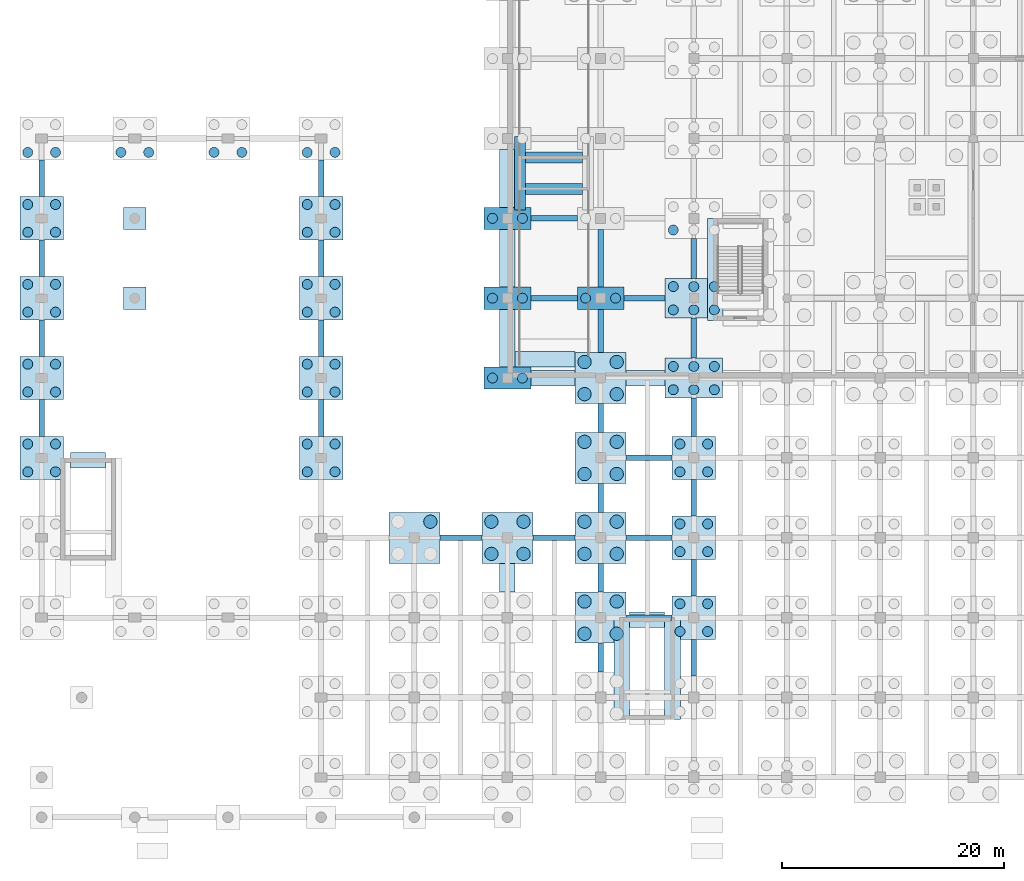
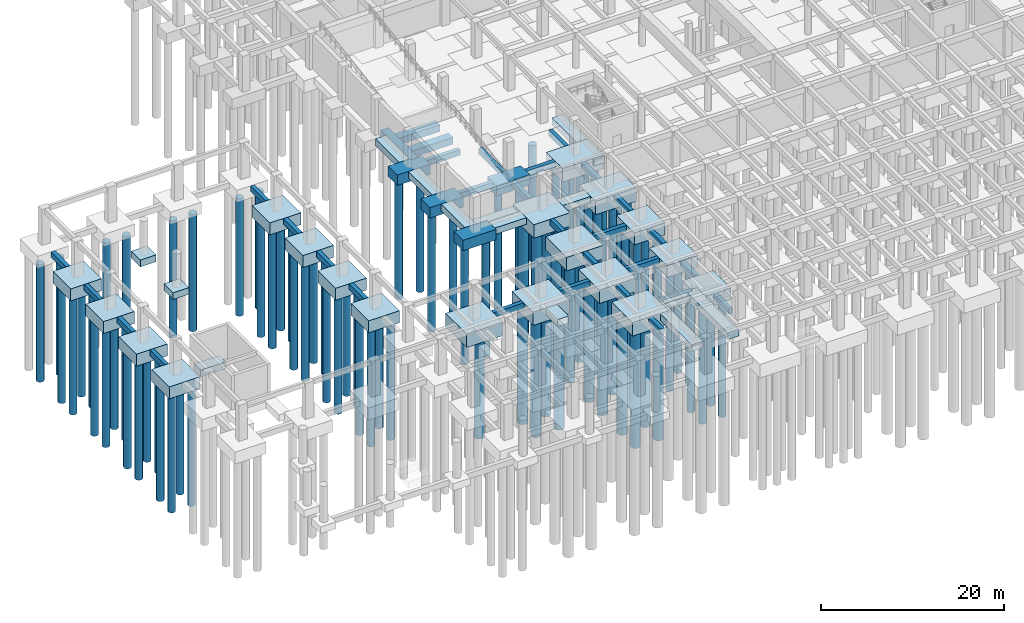
# One storey, part 2 of 26: 94 piles, 68 footings.
"""IFC4 building model written with IfcOpenShell, lengths in metres."""

from ifc_helpers import new_model, si_unit, direction, frame, origin, origin_2d, place, context, subcontext, project, spatial, rectangle, circle, extrude, material, material_profile, profile_set, type_object, element, save


model = new_model("IFC4")

# Units and contexts
model_context = context("Model", 3, precision=1e-05, world=origin(), true_north=direction((0.0, 1.0)))
body_context = subcontext(model_context, "Body", "Model", "MODEL_VIEW")
ifc_project = project(units=[si_unit("LENGTHUNIT", "METRE"), si_unit("AREAUNIT", "SQUARE_METRE"), si_unit("VOLUMEUNIT", "CUBIC_METRE"), si_unit("PLANEANGLEUNIT", "RADIAN"), si_unit("MASSUNIT", "GRAM", prefix="KILO")], contexts=[model_context])

# Site, building, storey
site_placement = place(None, origin())
site = spatial("IfcSite", under=ifc_project, at=site_placement, CompositionType="ELEMENT")
building_placement = place(site_placement, origin())
building = spatial("IfcBuilding", under=site, at=building_placement, Name="Kenerak Square Central Library", CompositionType="ELEMENT")
storey_placement = place(building_placement, frame((0.0, 0.0, -4.800048828125)))
storey = spatial("IfcBuildingStorey", under=building, at=storey_placement, Name="B1", CompositionType="ELEMENT", Elevation=-4.800048828125)

# Piles
ifc_material = material(Name="Concrete C40/50", Category="concrete")
ifc_material_profile_1 = material_profile(ifc_material, circle(Radius=0.60009765625, at=origin_2d()), Name="BP D1200")
ifc_profile_set_1 = profile_set([ifc_material_profile_1], Name="Concrete C40/50")
pile_type_1 = type_object("IfcPileType", Name="Bored Pile D1200 C40/50", PredefinedType="BORED", material=ifc_profile_set_1)
for number, where, z_axis, x_axis, name in (
    (1, (43.050048828125, 39.85009765625, -1.699951171875), (0.0, 0.0, -1.0), (1.0, 0.0, 0.0), "Bored Pile BP-1200 0096"),
    (2, (48.550048828125, 36.949951171875, -1.699951171875), (0.0, 0.0, -1.0), (1.0, 0.0, 0.0), "Bored Pile BP-1200 0117"),
    (3, (51.449951171875, 36.949951171875, -1.699951171875), (0.0, 0.0, -1.0), (1.0, 0.0, 0.0), "Bored Pile BP-1200 0118"),
    (4, (48.550048828125, 39.85009765625, -1.699951171875), (0.0, 0.0, -1.0), (1.0, 0.0, 0.0), "Bored Pile BP-1200 0119"),
    (5, (51.449951171875, 39.85009765625, -1.699951171875), (0.0, 0.0, -1.0), (1.0, 0.0, 0.0), "Bored Pile BP-1200 0120"),
    (6, (56.949951171875, 29.75, -1.699951171875), (0.0, 0.0, -1.0), (1.0, 0.0, 0.0), "Bored Pile BP-1200 0155"),
    (7, (59.85009765625, 29.75, -1.699951171875), (0.0, 0.0, -1.0), (1.0, 0.0, 0.0), "Bored Pile BP-1200 0156"),
    (8, (56.949951171875, 32.64990234375, -1.699951171875), (0.0, 0.0, -1.0), (1.0, 0.0, 0.0), "Bored Pile BP-1200 0157"),
    (9, (59.85009765625, 32.64990234375, -1.699951171875), (0.0, 0.0, -1.0), (1.0, 0.0, 0.0), "Bored Pile BP-1200 0158"),
    (10, (56.949951171875, 36.949951171875, -1.699951171875), (0.0, 0.0, -1.0), (1.0, 0.0, 0.0), "Bored Pile BP-1200 0159"),
    (11, (59.85009765625, 36.949951171875, -1.699951171875), (0.0, 0.0, -1.0), (1.0, 0.0, 0.0), "Bored Pile BP-1200 0160"),
    (12, (56.949951171875, 39.85009765625, -1.699951171875), (0.0, 0.0, -1.0), (1.0, 0.0, 0.0), "Bored Pile BP-1200 0161"),
    (13, (59.85009765625, 39.85009765625, -1.699951171875), (0.0, 0.0, -1.0), (1.0, 0.0, 0.0), "Bored Pile BP-1200 0162"),
    (14, (56.949951171875, 44.14990234375, -1.699951171875), (0.0, 0.0, -1.0), (1.0, 0.0, 0.0), "Bored Pile BP-1200 0163"),
    (15, (59.85009765625, 44.14990234375, -1.699951171875), (0.0, 0.0, -1.0), (1.0, 0.0, 0.0), "Bored Pile BP-1200 0164"),
    (16, (56.949951171875, 47.050048828125, -1.699951171875), (0.0, 0.0, -1.0), (1.0, 0.0, 0.0), "Bored Pile BP-1200 0165"),
    (17, (59.85009765625, 47.050048828125, -1.699951171875), (0.0, 0.0, -1.0), (1.0, 0.0, 0.0), "Bored Pile BP-1200 0166"),
    (18, (56.949951171875, 51.35009765625, -1.699951171875), (0.0, 0.0, -1.0), (1.0, 0.0, 0.0), "Bored Pile BP-1200 0167"),
    (19, (59.85009765625, 51.35009765625, -1.699951171875), (0.0, 0.0, -1.0), (1.0, 0.0, 0.0), "Bored Pile BP-1200 0168"),
    (20, (56.949951171875, 54.25, -1.699951171875), (0.0, 0.0, -1.0), (1.0, 0.0, 0.0), "Bored Pile BP-1200 0169"),
    (21, (59.85009765625, 54.25, -1.699951171875), (0.0, 0.0, -1.0), (1.0, 0.0, 0.0), "Bored Pile BP-1200 0170"),
):
    element("IfcPile", number, at=place(storey_placement, frame(where, z_axis=z_axis, x_axis=x_axis)), inside=storey, type_object=pile_type_1, Name=name, PredefinedType="BORED", context=body_context, shape_type="SweptSolid", body=[
        extrude(circle(Radius=0.60009765625, at=origin_2d()), origin(), (0.0, 0.0, 1.0), 15.5),
    ])
ifc_material_profile_2 = material_profile(ifc_material, circle(Radius=0.449951171875, at=origin_2d()), Name="BP D900")
ifc_profile_set_2 = profile_set([ifc_material_profile_2], Name="Concrete C40/50")
pile_type_2 = type_object("IfcPileType", Name="Bored Pile D900 C40/50", PredefinedType="BORED", material=ifc_profile_set_2)
for number, where, z_axis, x_axis, name in (
    (22, (6.75, 44.35009765625, -1.5), (0.0, 0.0, -1.0), (1.0, 0.0, 0.0), "Bored Pile BP-900 0009"),
    (23, (9.25, 44.35009765625, -1.5), (0.0, 0.0, -1.0), (1.0, 0.0, 0.0), "Bored Pile BP-900 0010"),
    (24, (6.75, 46.85009765625, -1.5), (0.0, 0.0, -1.0), (1.0, 0.0, 0.0), "Bored Pile BP-900 0011"),
    (25, (9.25, 46.85009765625, -1.5), (0.0, 0.0, -1.0), (1.0, 0.0, 0.0), "Bored Pile BP-900 0012"),
    (26, (6.75, 51.550048828125, -1.5), (0.0, 0.0, -1.0), (1.0, 0.0, 0.0), "Bored Pile BP-900 0013"),
    (27, (9.25, 51.550048828125, -1.5), (0.0, 0.0, -1.0), (1.0, 0.0, 0.0), "Bored Pile BP-900 0014"),
    (28, (6.75, 54.050048828125, -1.5), (0.0, 0.0, -1.0), (1.0, 0.0, 0.0), "Bored Pile BP-900 0015"),
    (29, (9.25, 54.050048828125, -1.5), (0.0, 0.0, -1.0), (1.0, 0.0, 0.0), "Bored Pile BP-900 0016"),
    (30, (6.75, 58.75, -1.5), (0.0, 0.0, -1.0), (1.0, 0.0, 0.0), "Bored Pile BP-900 0017"),
    (31, (9.25, 58.75, -1.5), (0.0, 0.0, -1.0), (1.0, 0.0, 0.0), "Bored Pile BP-900 0018"),
    (32, (6.75, 61.25, -1.5), (0.0, 0.0, -1.0), (1.0, 0.0, 0.0), "Bored Pile BP-900 0019"),
    (33, (9.25, 61.25, -1.5), (0.0, 0.0, -1.0), (1.0, 0.0, 0.0), "Bored Pile BP-900 0020"),
    (34, (6.75, 65.949951171875, -1.5), (0.0, 0.0, -1.0), (1.0, 0.0, 0.0), "Bored Pile BP-900 0021"),
    (35, (9.25, 65.949951171875, -1.5), (0.0, 0.0, -1.0), (1.0, 0.0, 0.0), "Bored Pile BP-900 0022"),
    (36, (6.75, 68.449951171875, -1.5), (0.0, 0.0, -1.0), (1.0, 0.0, 0.0), "Bored Pile BP-900 0023"),
    (37, (9.25, 68.449951171875, -1.5), (0.0, 0.0, -1.0), (1.0, 0.0, 0.0), "Bored Pile BP-900 0024"),
    (38, (6.75, 73.14990234375, -1.5), (0.0, 0.0, -1.0), (1.0, 0.0, 0.0), "Bored Pile BP-900 0025"),
    (39, (9.25, 73.14990234375, -1.5), (0.0, 0.0, -1.0), (1.0, 0.0, 0.0), "Bored Pile BP-900 0026"),
    (40, (15.14990234375, 73.14990234375, -1.5), (0.0, 0.0, -1.0), (1.0, 0.0, 0.0), "Bored Pile BP-900 0033"),
    (41, (17.64990234375, 73.14990234375, -1.5), (0.0, 0.0, -1.0), (1.0, 0.0, 0.0), "Bored Pile BP-900 0034"),
    (42, (23.550048828125, 73.14990234375, -1.5), (0.0, 0.0, -1.0), (1.0, 0.0, 0.0), "Bored Pile BP-900 0041"),
    (43, (26.050048828125, 73.14990234375, -1.5), (0.0, 0.0, -1.0), (1.0, 0.0, 0.0), "Bored Pile BP-900 0042"),
    (44, (31.949951171875, 44.35009765625, -1.5), (0.0, 0.0, -1.0), (1.0, 0.0, 0.0), "Bored Pile BP-900 0061"),
    (45, (34.449951171875, 44.35009765625, -1.5), (0.0, 0.0, -1.0), (1.0, 0.0, 0.0), "Bored Pile BP-900 0062"),
    (46, (31.949951171875, 46.85009765625, -1.5), (0.0, 0.0, -1.0), (1.0, 0.0, 0.0), "Bored Pile BP-900 0063"),
    (47, (34.449951171875, 46.85009765625, -1.5), (0.0, 0.0, -1.0), (1.0, 0.0, 0.0), "Bored Pile BP-900 0064"),
    (48, (31.949951171875, 51.550048828125, -1.5), (0.0, 0.0, -1.0), (1.0, 0.0, 0.0), "Bored Pile BP-900 0065"),
    (49, (34.449951171875, 51.550048828125, -1.5), (0.0, 0.0, -1.0), (1.0, 0.0, 0.0), "Bored Pile BP-900 0066"),
    (50, (31.949951171875, 54.050048828125, -1.5), (0.0, 0.0, -1.0), (1.0, 0.0, 0.0), "Bored Pile BP-900 0067"),
    (51, (34.449951171875, 54.050048828125, -1.5), (0.0, 0.0, -1.0), (1.0, 0.0, 0.0), "Bored Pile BP-900 0068"),
    (52, (31.949951171875, 58.75, -1.5), (0.0, 0.0, -1.0), (1.0, 0.0, 0.0), "Bored Pile BP-900 0069"),
    (53, (34.449951171875, 58.75, -1.5), (0.0, 0.0, -1.0), (1.0, 0.0, 0.0), "Bored Pile BP-900 0070"),
    (54, (31.949951171875, 61.25, -1.5), (0.0, 0.0, -1.0), (1.0, 0.0, 0.0), "Bored Pile BP-900 0071"),
    (55, (34.449951171875, 61.25, -1.5), (0.0, 0.0, -1.0), (1.0, 0.0, 0.0), "Bored Pile BP-900 0072"),
    (56, (31.949951171875, 65.949951171875, -1.5), (0.0, 0.0, -1.0), (1.0, 0.0, 0.0), "Bored Pile BP-900 0073"),
    (57, (34.449951171875, 65.949951171875, -1.5), (0.0, 0.0, -1.0), (1.0, 0.0, 0.0), "Bored Pile BP-900 0074"),
    (58, (31.949951171875, 68.449951171875, -1.5), (0.0, 0.0, -1.0), (1.0, 0.0, 0.0), "Bored Pile BP-900 0075"),
    (59, (34.449951171875, 68.449951171875, -1.5), (0.0, 0.0, -1.0), (1.0, 0.0, 0.0), "Bored Pile BP-900 0076"),
    (60, (31.949951171875, 73.14990234375, -1.5), (0.0, 0.0, -1.0), (1.0, 0.0, 0.0), "Bored Pile BP-900 0077"),
    (61, (34.449951171875, 73.14990234375, -1.5), (0.0, 0.0, -1.0), (1.0, 0.0, 0.0), "Bored Pile BP-900 0078"),
):
    element("IfcPile", number, at=place(storey_placement, frame(where, z_axis=z_axis, x_axis=x_axis)), inside=storey, type_object=pile_type_2, Name=name, PredefinedType="BORED", context=body_context, shape_type="SweptSolid", body=[
        extrude(circle(Radius=0.449951171875, at=origin_2d()), origin(), (0.0, 0.0, 1.0), 15.699951171875),
    ])
for number, where, z_axis, x_axis, name in (
    (62, (48.64990234375, 52.800048828125, -1.300048828125), (0.0, 0.0, -1.0), (1.0, 0.0, 0.0), "Bored Pile BP-900 0121"),
    (63, (51.35009765625, 52.800048828125, -1.300048828125), (0.0, 0.0, -1.0), (1.0, 0.0, 0.0), "Bored Pile BP-900 0122"),
    (64, (48.64990234375, 60.0, -1.300048828125), (0.0, 0.0, -1.0), (1.0, 0.0, 0.0), "Bored Pile BP-900 0123"),
    (65, (51.35009765625, 60.0, -1.300048828125), (0.0, 0.0, -1.0), (1.0, 0.0, 0.0), "Bored Pile BP-900 0124"),
    (66, (48.64990234375, 67.199951171875, -1.300048828125), (0.0, 0.0, -1.0), (1.0, 0.0, 0.0), "Bored Pile BP-900 0125"),
    (67, (51.35009765625, 67.199951171875, -1.300048828125), (0.0, 0.0, -1.0), (1.0, 0.0, 0.0), "Bored Pile BP-900 0126"),
    (68, (57.050048828125, 60.0, -1.300048828125), (0.0, 0.0, -1.0), (1.0, 0.0, 0.0), "Bored Pile BP-900 0171"),
    (69, (59.75, 60.0, -1.300048828125), (0.0, 0.0, -1.0), (1.0, 0.0, 0.0), "Bored Pile BP-900 0172"),
):
    element("IfcPile", number, at=place(storey_placement, frame(where, z_axis=z_axis, x_axis=x_axis)), inside=storey, type_object=pile_type_2, Name=name, PredefinedType="BORED", context=body_context, shape_type="SweptSolid", body=[
        extrude(circle(Radius=0.449951171875, at=origin_2d()), origin(), (0.0, 0.0, 1.0), 15.89990234375),
    ])
for number, where, z_axis, x_axis, name in (
    (70, (65.550048828125, 29.949951171875, -1.5), (0.0, 0.0, -1.0), (1.0, 0.0, 0.0), "Bored Pile BP-900 0213"),
    (71, (68.050048828125, 29.949951171875, -1.5), (0.0, 0.0, -1.0), (1.0, 0.0, 0.0), "Bored Pile BP-900 0214"),
    (72, (65.550048828125, 32.449951171875, -1.5), (0.0, 0.0, -1.0), (1.0, 0.0, 0.0), "Bored Pile BP-900 0215"),
    (73, (68.050048828125, 32.449951171875, -1.5), (0.0, 0.0, -1.0), (1.0, 0.0, 0.0), "Bored Pile BP-900 0216"),
    (74, (65.550048828125, 37.14990234375, -1.5), (0.0, 0.0, -1.0), (1.0, 0.0, 0.0), "Bored Pile BP-900 0217"),
    (75, (68.050048828125, 37.14990234375, -1.5), (0.0, 0.0, -1.0), (1.0, 0.0, 0.0), "Bored Pile BP-900 0218"),
    (76, (65.550048828125, 39.64990234375, -1.5), (0.0, 0.0, -1.0), (1.0, 0.0, 0.0), "Bored Pile BP-900 0219"),
    (77, (68.050048828125, 39.64990234375, -1.5), (0.0, 0.0, -1.0), (1.0, 0.0, 0.0), "Bored Pile BP-900 0220"),
    (78, (65.550048828125, 44.35009765625, -1.5), (0.0, 0.0, -1.0), (1.0, 0.0, 0.0), "Bored Pile BP-900 0221"),
    (79, (68.050048828125, 44.35009765625, -1.5), (0.0, 0.0, -1.0), (1.0, 0.0, 0.0), "Bored Pile BP-900 0222"),
    (80, (65.550048828125, 46.85009765625, -1.5), (0.0, 0.0, -1.0), (1.0, 0.0, 0.0), "Bored Pile BP-900 0223"),
    (81, (68.050048828125, 46.85009765625, -1.5), (0.0, 0.0, -1.0), (1.0, 0.0, 0.0), "Bored Pile BP-900 0224"),
):
    element("IfcPile", number, at=place(storey_placement, frame(where, z_axis=z_axis, x_axis=x_axis)), inside=storey, type_object=pile_type_2, Name=name, PredefinedType="BORED", context=body_context, shape_type="SweptSolid", body=[
        extrude(circle(Radius=0.449951171875, at=origin_2d()), origin(), (0.0, 0.0, 1.0), 15.699951171875),
    ])
for number, where, z_axis, x_axis, name in (
    (82, (64.949951171875, 51.75, -1.699951171875), (0.0, 0.0, -1.0), (1.0, 0.0, 0.0), "Bored Pile BP-900 0225"),
    (83, (66.800048828125, 51.75, -1.699951171875), (0.0, 0.0, -1.0), (1.0, 0.0, 0.0), "Bored Pile BP-900 0226"),
    (84, (68.64990234375, 51.75, -1.699951171875), (0.0, 0.0, -1.0), (1.0, 0.0, 0.0), "Bored Pile BP-900 0227"),
    (85, (64.949951171875, 53.85009765625, -1.699951171875), (0.0, 0.0, -1.0), (1.0, 0.0, 0.0), "Bored Pile BP-900 0228"),
    (86, (66.800048828125, 53.85009765625, -1.699951171875), (0.0, 0.0, -1.0), (1.0, 0.0, 0.0), "Bored Pile BP-900 0229"),
    (87, (68.64990234375, 53.85009765625, -1.699951171875), (0.0, 0.0, -1.0), (1.0, 0.0, 0.0), "Bored Pile BP-900 0230"),
    (88, (64.949951171875, 58.949951171875, -1.699951171875), (0.0, 0.0, -1.0), (1.0, 0.0, 0.0), "Bored Pile BP-900 0231"),
    (89, (66.800048828125, 58.949951171875, -1.699951171875), (0.0, 0.0, -1.0), (1.0, 0.0, 0.0), "Bored Pile BP-900 0232"),
    (90, (68.64990234375, 58.949951171875, -1.699951171875), (0.0, 0.0, -1.0), (1.0, 0.0, 0.0), "Bored Pile BP-900 0233"),
    (91, (64.949951171875, 61.050048828125, -1.699951171875), (0.0, 0.0, -1.0), (1.0, 0.0, 0.0), "Bored Pile BP-900 0234"),
    (92, (66.800048828125, 61.050048828125, -1.699951171875), (0.0, 0.0, -1.0), (1.0, 0.0, 0.0), "Bored Pile BP-900 0235"),
    (93, (68.64990234375, 61.050048828125, -1.699951171875), (0.0, 0.0, -1.0), (1.0, 0.0, 0.0), "Bored Pile BP-900 0236"),
    (94, (64.949951171875, 66.14990234375, -1.699951171875), (0.0, 0.0, -1.0), (1.0, 0.0, 0.0), "Bored Pile BP-900 0237"),
):
    element("IfcPile", number, at=place(storey_placement, frame(where, z_axis=z_axis, x_axis=x_axis)), inside=storey, type_object=pile_type_2, Name=name, PredefinedType="BORED", context=body_context, shape_type="SweptSolid", body=[
        extrude(circle(Radius=0.449951171875, at=origin_2d()), origin(), (0.0, 0.0, 1.0), 15.5),
    ])

# Footings
footing_type_1 = type_object("IfcFootingType", Name="Colonnade Pad Footing PF-01 2000x2000x900", PredefinedType="PAD_FOOTING", material=ifc_material)
for number, where, z_axis, x_axis, name in (
    (95, (16.39990234375, 60.0, -0.89990234375), (0.0, 0.0, 1.0), (1.0, 0.0, 0.0), "Pad Footing PF-01 CSUB05"),
    (96, (16.39990234375, 67.199951171875, -0.89990234375), (0.0, 0.0, 1.0), (1.0, 0.0, 0.0), "Pad Footing PF-01 CSUB06"),
):
    element("IfcFooting", number, at=place(storey_placement, frame(where, z_axis=z_axis, x_axis=x_axis)), inside=storey, type_object=footing_type_1, Name=name, PredefinedType="PAD_FOOTING", context=body_context, shape_type="SweptSolid", body=[
        extrude(rectangle(XDim=2.0, YDim=2.0, at=origin_2d()), origin(), (0.0, 0.0, 1.0), 0.89990234375),
    ])
footing_type_2 = type_object("IfcFootingType", Name="Ground Tie Beam GB-01 500x750", PredefinedType="FOOTING_BEAM", material=ifc_material)
for number, where, z_axis, x_axis, name in (
    (97, (8.0, 49.199951171875, -0.75), (0.0, 0.0, 1.0), (1.0, 0.0, 0.0), "Ground Tie Beam 005"),
    (98, (8.0, 56.39990234375, -0.75), (0.0, 0.0, 1.0), (1.0, 0.0, 0.0), "Ground Tie Beam 006"),
    (99, (8.0, 63.60009765625, -0.75), (0.0, 0.0, 1.0), (1.0, 0.0, 0.0), "Ground Tie Beam 007"),
    (100, (8.0, 70.800048828125, -0.75), (0.0, 0.0, 1.0), (1.0, 0.0, 0.0), "Ground Tie Beam 008"),
    (101, (33.199951171875, 49.199951171875, -0.75), (0.0, 0.0, 1.0), (1.0, 0.0, 0.0), "Ground Tie Beam 025"),
    (102, (33.199951171875, 56.39990234375, -0.75), (0.0, 0.0, 1.0), (1.0, 0.0, 0.0), "Ground Tie Beam 026"),
    (103, (33.199951171875, 63.60009765625, -0.75), (0.0, 0.0, 1.0), (1.0, 0.0, 0.0), "Ground Tie Beam 027"),
    (104, (33.199951171875, 70.800048828125, -0.75), (0.0, 0.0, 1.0), (1.0, 0.0, 0.0), "Ground Tie Beam 028"),
):
    element("IfcFooting", number, at=place(storey_placement, frame(where, z_axis=z_axis, x_axis=x_axis)), inside=storey, type_object=footing_type_2, Name=name, PredefinedType="FOOTING_BEAM", context=body_context, shape_type="SweptSolid", body=[
        extrude(rectangle(XDim=0.5, YDim=3.300048828125, at=origin_2d()), origin(), (0.0, 0.0, 1.0), 0.75),
    ])
for number, where, z_axis, x_axis, name in (
    (105, (45.800048828125, 38.39990234375, -0.75), (0.0, 0.0, 1.0), (1.0, 0.0, 0.0), "Ground Tie Beam 036"),
    (106, (54.199951171875, 38.39990234375, -0.75), (0.0, 0.0, 1.0), (1.0, 0.0, 0.0), "Ground Tie Beam 046"),
):
    element("IfcFooting", number, at=place(storey_placement, frame(where, z_axis=z_axis, x_axis=x_axis)), inside=storey, type_object=footing_type_2, Name=name, PredefinedType="FOOTING_BEAM", context=body_context, shape_type="SweptSolid", body=[
        extrude(rectangle(XDim=3.800048828125, YDim=0.5, at=origin_2d()), origin(), (0.0, 0.0, 1.0), 0.75),
    ])
for number, where, z_axis, x_axis, name in (
    (107, (54.199951171875, 60.0, -0.75), (0.0, 0.0, 1.0), (1.0, 0.0, 0.0), "Ground Tie Beam 047"),
    (108, (54.199951171875, 67.199951171875, -0.75), (0.0, 0.0, 1.0), (1.0, 0.0, 0.0), "Ground Tie Beam 048"),
):
    element("IfcFooting", number, at=place(storey_placement, frame(where, z_axis=z_axis, x_axis=x_axis)), inside=storey, type_object=footing_type_2, Name=name, PredefinedType="FOOTING_BEAM", context=body_context, shape_type="SweptSolid", body=[
        extrude(rectangle(XDim=4.199951171875, YDim=0.5, at=origin_2d()), origin(), (0.0, 0.0, 1.0), 0.75),
    ])
footing_1_placement = place(storey_placement, frame((58.39990234375, 27.60009765625, -0.75), z_axis=(0.0, 0.0, 1.0), x_axis=(1.0, 0.0, 0.0)))
element("IfcFooting", 109, at=footing_1_placement, inside=storey, type_object=footing_type_2, Name="Ground Tie Beam 057", PredefinedType="FOOTING_BEAM", context=body_context, shape_type="SweptSolid", body=[
    extrude(rectangle(XDim=0.5, YDim=2.60009765625, at=origin_2d()), origin(), (0.0, 0.0, 1.0), 0.75),
])
footing_2_placement = place(storey_placement, frame((62.77490234375, 31.199951171875, -0.75), z_axis=(0.0, 0.0, 1.0), x_axis=(1.0, 0.0, 0.0)))
element("IfcFooting", 110, at=footing_2_placement, inside=storey, type_object=footing_type_2, Name="Ground Tie Beam 058", PredefinedType="FOOTING_BEAM", context=body_context, shape_type="SweptSolid", body=[
    extrude(rectangle(XDim=4.14990234375, YDim=0.5, at=origin_2d()), origin(), (0.0, 0.0, 1.0), 0.75),
])
footing_3_placement = place(storey_placement, frame((58.39990234375, 34.800048828125, -0.75), z_axis=(0.0, 0.0, 1.0), x_axis=(1.0, 0.0, 0.0)))
element("IfcFooting", 111, at=footing_3_placement, inside=storey, type_object=footing_type_2, Name="Ground Tie Beam 059", PredefinedType="FOOTING_BEAM", context=body_context, shape_type="SweptSolid", body=[
    extrude(rectangle(XDim=0.5, YDim=2.60009765625, at=origin_2d()), origin(), (0.0, 0.0, 1.0), 0.75),
])
footing_4_placement = place(storey_placement, frame((62.77490234375, 38.39990234375, -0.75), z_axis=(0.0, 0.0, 1.0), x_axis=(1.0, 0.0, 0.0)))
element("IfcFooting", 112, at=footing_4_placement, inside=storey, type_object=footing_type_2, Name="Ground Tie Beam 060", PredefinedType="FOOTING_BEAM", context=body_context, shape_type="SweptSolid", body=[
    extrude(rectangle(XDim=4.14990234375, YDim=0.5, at=origin_2d()), origin(), (0.0, 0.0, 1.0), 0.75),
])
footing_5_placement = place(storey_placement, frame((58.39990234375, 42.0, -0.75), z_axis=(0.0, 0.0, 1.0), x_axis=(1.0, 0.0, 0.0)))
element("IfcFooting", 113, at=footing_5_placement, inside=storey, type_object=footing_type_2, Name="Ground Tie Beam 061", PredefinedType="FOOTING_BEAM", context=body_context, shape_type="SweptSolid", body=[
    extrude(rectangle(XDim=0.5, YDim=2.60009765625, at=origin_2d()), origin(), (0.0, 0.0, 1.0), 0.75),
])
footing_6_placement = place(storey_placement, frame((62.77490234375, 45.60009765625, -0.75), z_axis=(0.0, 0.0, 1.0), x_axis=(1.0, 0.0, 0.0)))
element("IfcFooting", 114, at=footing_6_placement, inside=storey, type_object=footing_type_2, Name="Ground Tie Beam 062", PredefinedType="FOOTING_BEAM", context=body_context, shape_type="SweptSolid", body=[
    extrude(rectangle(XDim=4.14990234375, YDim=0.5, at=origin_2d()), origin(), (0.0, 0.0, 1.0), 0.75),
])
footing_7_placement = place(storey_placement, frame((58.39990234375, 49.199951171875, -0.75), z_axis=(0.0, 0.0, 1.0), x_axis=(1.0, 0.0, 0.0)))
element("IfcFooting", 115, at=footing_7_placement, inside=storey, type_object=footing_type_2, Name="Ground Tie Beam 063", PredefinedType="FOOTING_BEAM", context=body_context, shape_type="SweptSolid", body=[
    extrude(rectangle(XDim=0.5, YDim=2.60009765625, at=origin_2d()), origin(), (0.0, 0.0, 1.0), 0.75),
])
footing_8_placement = place(storey_placement, frame((58.39990234375, 57.050048828125, -0.75), z_axis=(0.0, 0.0, 1.0), x_axis=(1.0, 0.0, 0.0)))
element("IfcFooting", 116, at=footing_8_placement, inside=storey, type_object=footing_type_2, Name="Ground Tie Beam 064", PredefinedType="FOOTING_BEAM", context=body_context, shape_type="SweptSolid", body=[
    extrude(rectangle(XDim=0.5, YDim=3.89990234375, at=origin_2d()), origin(), (0.0, 0.0, 1.0), 0.75),
])
footing_9_placement = place(storey_placement, frame((62.35009765625, 60.0, -0.75), z_axis=(0.0, 0.0, 1.0), x_axis=(1.0, 0.0, 0.0)))
element("IfcFooting", 117, at=footing_9_placement, inside=storey, type_object=footing_type_2, Name="Ground Tie Beam 065", PredefinedType="FOOTING_BEAM", context=body_context, shape_type="SweptSolid", body=[
    extrude(rectangle(XDim=3.699951171875, YDim=0.5, at=origin_2d()), origin(), (0.0, 0.0, 1.0), 0.75),
])
footing_10_placement = place(storey_placement, frame((58.39990234375, 63.60009765625, -0.75), z_axis=(0.0, 0.0, 1.0), x_axis=(1.0, 0.0, 0.0)))
element("IfcFooting", 118, at=footing_10_placement, inside=storey, type_object=footing_type_2, Name="Ground Tie Beam 066", PredefinedType="FOOTING_BEAM", context=body_context, shape_type="SweptSolid", body=[
    extrude(rectangle(XDim=0.5, YDim=5.199951171875, at=origin_2d()), origin(), (0.0, 0.0, 1.0), 0.75),
])
for number, where, z_axis, x_axis, name in (
    (119, (66.800048828125, 27.60009765625, -0.75), (0.0, 0.0, 1.0), (1.0, 0.0, 0.0), "Ground Tie Beam 082"),
    (120, (66.800048828125, 34.800048828125, -0.75), (0.0, 0.0, 1.0), (1.0, 0.0, 0.0), "Ground Tie Beam 084"),
    (121, (66.800048828125, 42.0, -0.75), (0.0, 0.0, 1.0), (1.0, 0.0, 0.0), "Ground Tie Beam 086"),
):
    element("IfcFooting", number, at=place(storey_placement, frame(where, z_axis=z_axis, x_axis=x_axis)), inside=storey, type_object=footing_type_2, Name=name, PredefinedType="FOOTING_BEAM", context=body_context, shape_type="SweptSolid", body=[
        extrude(rectangle(XDim=0.5, YDim=3.300048828125, at=origin_2d()), origin(), (0.0, 0.0, 1.0), 0.75),
    ])
footing_11_placement = place(storey_placement, frame((66.800048828125, 49.27490234375, -0.75), z_axis=(0.0, 0.0, 1.0), x_axis=(1.0, 0.0, 0.0)))
element("IfcFooting", 122, at=footing_11_placement, inside=storey, type_object=footing_type_2, Name="Ground Tie Beam 088", PredefinedType="FOOTING_BEAM", context=body_context, shape_type="SweptSolid", body=[
    extrude(rectangle(XDim=0.5, YDim=3.449951171875, at=origin_2d()), origin(), (0.0, 0.0, 1.0), 0.75),
])
for number, where, z_axis, x_axis, name in (
    (123, (66.800048828125, 56.39990234375, -0.75), (0.0, 0.0, 1.0), (1.0, 0.0, 0.0), "Ground Tie Beam 089"),
    (124, (66.800048828125, 63.60009765625, -0.75), (0.0, 0.0, 1.0), (1.0, 0.0, 0.0), "Ground Tie Beam 091"),
):
    element("IfcFooting", number, at=place(storey_placement, frame(where, z_axis=z_axis, x_axis=x_axis)), inside=storey, type_object=footing_type_2, Name=name, PredefinedType="FOOTING_BEAM", context=body_context, shape_type="SweptSolid", body=[
        extrude(rectangle(XDim=0.5, YDim=3.60009765625, at=origin_2d()), origin(), (0.0, 0.0, 1.0), 0.75),
    ])
footing_type_3 = type_object("IfcFootingType", Name="Pile Cap PC-01 4200x2000x1400", PredefinedType="PILE_CAP", material=ifc_material)
for number, where, z_axis, x_axis, name in (
    (125, (50.0, 52.800048828125, -1.39990234375), (0.0, 0.0, 1.0), (1.0, 0.0, 0.0), "Pile Cap PC-01 033"),
    (126, (50.0, 60.0, -1.39990234375), (0.0, 0.0, 1.0), (1.0, 0.0, 0.0), "Pile Cap PC-01 034"),
    (127, (50.0, 67.199951171875, -1.39990234375), (0.0, 0.0, 1.0), (1.0, 0.0, 0.0), "Pile Cap PC-01 035"),
    (128, (58.39990234375, 60.0, -1.39990234375), (0.0, 0.0, 1.0), (1.0, 0.0, 0.0), "Pile Cap PC-01 048"),
):
    element("IfcFooting", number, at=place(storey_placement, frame(where, z_axis=z_axis, x_axis=x_axis)), inside=storey, type_object=footing_type_3, Name=name, PredefinedType="PILE_CAP", context=body_context, shape_type="SweptSolid", body=[
        extrude(rectangle(XDim=4.199951171875, YDim=2.0, at=origin_2d()), origin(), (0.0, 0.0, 1.0), 1.39990234375),
    ])
footing_type_4 = type_object("IfcFootingType", Name="Pile Cap PC-03 3900x3900x1600", PredefinedType="PILE_CAP", material=ifc_material)
for number, where, z_axis, x_axis, name in (
    (129, (8.0, 45.60009765625, -1.60009765625), (0.0, 0.0, 1.0), (1.0, 0.0, 0.0), "Pile Cap PC-03 003"),
    (130, (8.0, 52.800048828125, -1.60009765625), (0.0, 0.0, 1.0), (1.0, 0.0, 0.0), "Pile Cap PC-03 004"),
    (131, (8.0, 60.0, -1.60009765625), (0.0, 0.0, 1.0), (1.0, 0.0, 0.0), "Pile Cap PC-03 005"),
    (132, (8.0, 67.199951171875, -1.60009765625), (0.0, 0.0, 1.0), (1.0, 0.0, 0.0), "Pile Cap PC-03 006"),
    (133, (33.199951171875, 45.60009765625, -1.60009765625), (0.0, 0.0, 1.0), (1.0, 0.0, 0.0), "Pile Cap PC-03 016"),
    (134, (33.199951171875, 52.800048828125, -1.60009765625), (0.0, 0.0, 1.0), (1.0, 0.0, 0.0), "Pile Cap PC-03 017"),
    (135, (33.199951171875, 60.0, -1.60009765625), (0.0, 0.0, 1.0), (1.0, 0.0, 0.0), "Pile Cap PC-03 018"),
    (136, (33.199951171875, 67.199951171875, -1.60009765625), (0.0, 0.0, 1.0), (1.0, 0.0, 0.0), "Pile Cap PC-03 019"),
    (137, (66.800048828125, 31.199951171875, -1.60009765625), (0.0, 0.0, 1.0), (1.0, 0.0, 0.0), "Pile Cap PC-03 058"),
    (138, (66.800048828125, 38.39990234375, -1.60009765625), (0.0, 0.0, 1.0), (1.0, 0.0, 0.0), "Pile Cap PC-03 059"),
    (139, (66.800048828125, 45.60009765625, -1.60009765625), (0.0, 0.0, 1.0), (1.0, 0.0, 0.0), "Pile Cap PC-03 060"),
):
    element("IfcFooting", number, at=place(storey_placement, frame(where, z_axis=z_axis, x_axis=x_axis)), inside=storey, type_object=footing_type_4, Name=name, PredefinedType="PILE_CAP", context=body_context, shape_type="SweptSolid", body=[
        extrude(rectangle(XDim=3.89990234375, YDim=3.89990234375, at=origin_2d()), origin(), (0.0, 0.0, 1.0), 1.60009765625),
    ])
footing_type_5 = type_object("IfcFootingType", Name="Pile Cap PC-04 4600x4600x1800", PredefinedType="PILE_CAP", material=ifc_material)
for number, where, z_axis, x_axis, name in (
    (140, (41.60009765625, 38.39990234375, -1.7998046875), (0.0, 0.0, 1.0), (1.0, 0.0, 0.0), "Pile Cap PC-04 024"),
    (141, (50.0, 38.39990234375, -1.7998046875), (0.0, 0.0, 1.0), (1.0, 0.0, 0.0), "Pile Cap PC-04 032"),
    (142, (58.39990234375, 31.199951171875, -1.7998046875), (0.0, 0.0, 1.0), (1.0, 0.0, 0.0), "Pile Cap PC-04 044"),
    (143, (58.39990234375, 38.39990234375, -1.7998046875), (0.0, 0.0, 1.0), (1.0, 0.0, 0.0), "Pile Cap PC-04 045"),
    (144, (58.39990234375, 45.60009765625, -1.7998046875), (0.0, 0.0, 1.0), (1.0, 0.0, 0.0), "Pile Cap PC-04 046"),
    (145, (58.39990234375, 52.800048828125, -1.7998046875), (0.0, 0.0, 1.0), (1.0, 0.0, 0.0), "Pile Cap PC-04 047"),
):
    element("IfcFooting", number, at=place(storey_placement, frame(where, z_axis=z_axis, x_axis=x_axis)), inside=storey, type_object=footing_type_5, Name=name, PredefinedType="PILE_CAP", context=body_context, shape_type="SweptSolid", body=[
        extrude(rectangle(XDim=4.60009765625, YDim=4.60009765625, at=origin_2d()), origin(), (0.0, 0.0, 1.0), 1.800048828125),
    ])
footing_type_6 = type_object("IfcFootingType", Name="Pile Cap PC-05 5200x3600x1800", PredefinedType="PILE_CAP", material=ifc_material)
for number, where, z_axis, x_axis, name in (
    (146, (66.800048828125, 52.800048828125, -1.7998046875), (0.0, 0.0, 1.0), (1.0, 0.0, 0.0), "Pile Cap PC-05 061"),
    (147, (66.800048828125, 60.0, -1.7998046875), (0.0, 0.0, 1.0), (1.0, 0.0, 0.0), "Pile Cap PC-05 062"),
):
    element("IfcFooting", number, at=place(storey_placement, frame(where, z_axis=z_axis, x_axis=x_axis)), inside=storey, type_object=footing_type_6, Name=name, PredefinedType="PILE_CAP", context=body_context, shape_type="SweptSolid", body=[
        extrude(rectangle(XDim=5.199951171875, YDim=3.60009765625, at=origin_2d()), origin(), (0.0, 0.0, 1.0), 1.800048828125),
    ])
footing_type_7 = type_object("IfcFootingType", Name="Wall Strip Footing SF-01 1400x900", PredefinedType="STRIP_FOOTING", material=ifc_material)
footing_12_placement = place(storey_placement, frame((50.0, 34.800048828125, -0.89990234375), z_axis=(0.0, 0.0, 1.0), x_axis=(1.0, 0.0, 0.0)))
element("IfcFooting", 148, at=footing_12_placement, inside=storey, type_object=footing_type_7, Name="Strip Footing SF-01 004", PredefinedType="STRIP_FOOTING", context=body_context, shape_type="SweptSolid", body=[
    extrude(rectangle(XDim=1.39990234375, YDim=2.60009765625, at=origin_2d()), origin(), (0.0, 0.0, 1.0), 0.89990234375),
])
footing_13_placement = place(storey_placement, frame((54.10009765625, 52.800048828125, -0.89990234375), z_axis=(0.0, 0.0, 1.0), x_axis=(1.0, 0.0, 0.0)))
element("IfcFooting", 149, at=footing_13_placement, inside=storey, type_object=footing_type_7, Name="Strip Footing SF-01 005", PredefinedType="STRIP_FOOTING", context=body_context, shape_type="SweptSolid", body=[
    extrude(rectangle(XDim=4.0, YDim=1.39990234375, at=origin_2d()), origin(), (0.0, 0.0, 1.0), 0.89990234375),
])
for number, where, z_axis, x_axis, name in (
    (150, (50.0, 56.39990234375, -0.89990234375), (0.0, 0.0, 1.0), (1.0, 0.0, 0.0), "Strip Footing SF-01 006"),
    (151, (50.0, 63.60009765625, -0.89990234375), (0.0, 0.0, 1.0), (1.0, 0.0, 0.0), "Strip Footing SF-01 007"),
    (152, (50.0, 70.800048828125, -0.89990234375), (0.0, 0.0, 1.0), (1.0, 0.0, 0.0), "Strip Footing SF-01 008"),
):
    element("IfcFooting", number, at=place(storey_placement, frame(where, z_axis=z_axis, x_axis=x_axis)), inside=storey, type_object=footing_type_7, Name=name, PredefinedType="STRIP_FOOTING", context=body_context, shape_type="SweptSolid", body=[
        extrude(rectangle(XDim=1.39990234375, YDim=5.199951171875, at=origin_2d()), origin(), (0.0, 0.0, 1.0), 0.89990234375),
    ])
footing_14_placement = place(storey_placement, frame((62.449951171875, 52.800048828125, -0.89990234375), z_axis=(0.0, 0.0, 1.0), x_axis=(1.0, 0.0, 0.0)))
element("IfcFooting", 153, at=footing_14_placement, inside=storey, type_object=footing_type_7, Name="Strip Footing SF-01 015", PredefinedType="STRIP_FOOTING", context=body_context, shape_type="SweptSolid", body=[
    extrude(rectangle(XDim=3.5, YDim=1.39990234375, at=origin_2d()), origin(), (0.0, 0.0, 1.0), 0.89990234375),
])
for number, where, z_axis, x_axis, name in (
    (154, (60.320068359375, 26.60009765625, -0.89990234375), (0.0, 0.0, 1.0), (1.0, 0.0, 0.0), "Strip Footing SF-01 SFCW-C4 W"),
    (155, (64.8798828125, 26.60009765625, -0.89990234375), (0.0, 0.0, 1.0), (1.0, 0.0, 0.0), "Strip Footing SF-01 SFCW-C4 E"),
):
    element("IfcFooting", number, at=place(storey_placement, frame(where, z_axis=z_axis, x_axis=x_axis)), inside=storey, type_object=footing_type_7, Name=name, PredefinedType="STRIP_FOOTING", context=body_context, shape_type="SweptSolid", body=[
        extrude(rectangle(XDim=1.39990234375, YDim=9.199951171875, at=origin_2d()), origin(), (0.0, 0.0, 1.0), 0.89990234375),
    ])
for number, where, z_axis, x_axis, name in (
    (156, (62.60009765625, 31.0, -0.89990234375), (0.0, 0.0, 1.0), (1.0, 0.0, 0.0), "Strip Footing SF-01 SFCW-C4 N"),
    (157, (12.199951171875, 45.39990234375, -0.89990234375), (0.0, 0.0, 1.0), (1.0, 0.0, 0.0), "Strip Footing SF-01 SFCW-C6 N"),
):
    element("IfcFooting", number, at=place(storey_placement, frame(where, z_axis=z_axis, x_axis=x_axis)), inside=storey, type_object=footing_type_7, Name=name, PredefinedType="STRIP_FOOTING", context=body_context, shape_type="SweptSolid", body=[
        extrude(rectangle(XDim=3.159912109375, YDim=1.39990234375, at=origin_2d()), origin(), (0.0, 0.0, 1.0), 0.89990234375),
    ])
footing_15_placement = place(storey_placement, frame((68.719970703125, 62.60009765625, -0.89990234375), z_axis=(0.0, 0.0, 1.0), x_axis=(1.0, 0.0, 0.0)))
element("IfcFooting", 158, at=footing_15_placement, inside=storey, type_object=footing_type_7, Name="Strip Footing SF-01 SFCW-C8 W", PredefinedType="STRIP_FOOTING", context=body_context, shape_type="SweptSolid", body=[
    extrude(rectangle(XDim=1.39990234375, YDim=9.199951171875, at=origin_2d()), origin(), (0.0, 0.0, 1.0), 0.89990234375),
])
footing_16_placement = place(storey_placement, frame((53.39990234375, 54.5, -1.25), z_axis=(0.0, 0.0, 1.0), x_axis=(1.0, 0.0, 0.0)))
element("IfcFooting", 159, at=footing_16_placement, inside=storey, type_object=footing_type_7, Name="Strip Footing SF-01 SFVR-TOE", PredefinedType="STRIP_FOOTING", context=body_context, shape_type="SweptSolid", body=[
    extrude(rectangle(XDim=5.39990234375, YDim=1.39990234375, at=origin_2d()), origin(), (0.0, 0.0, 1.0), 0.89990234375),
])
footing_17_placement = place(storey_placement, frame((51.125, 71.27001953125, -0.89990234375), z_axis=(0.0, 0.0, 1.0), x_axis=(1.0, 0.0, 0.0)))
element("IfcFooting", 160, at=footing_17_placement, inside=storey, type_object=footing_type_7, Name="Strip Footing SF-01 SFVR-LD W", PredefinedType="STRIP_FOOTING", context=body_context, shape_type="SweptSolid", body=[
    extrude(rectangle(XDim=1.0, YDim=6.60009765625, at=origin_2d()), origin(), (0.0, 0.0, 1.0), 0.89990234375),
])
for number, where, z_axis, x_axis, name in (
    (161, (54.199951171875, 69.864990234375, -0.89990234375), (0.0, 0.0, 1.0), (1.0, 0.0, 0.0), "Strip Footing SF-01 SFVR-LD S"),
    (162, (54.199951171875, 72.675048828125, -0.89990234375), (0.0, 0.0, 1.0), (1.0, 0.0, 0.0), "Strip Footing SF-01 SFVR-LD N"),
):
    element("IfcFooting", number, at=place(storey_placement, frame(where, z_axis=z_axis, x_axis=x_axis)), inside=storey, type_object=footing_type_7, Name=name, PredefinedType="STRIP_FOOTING", context=body_context, shape_type="SweptSolid", body=[
        extrude(rectangle(XDim=5.14990234375, YDim=1.0, at=origin_2d()), origin(), (0.0, 0.0, 1.0), 0.89990234375),
    ])

save(model, "model.ifc")
